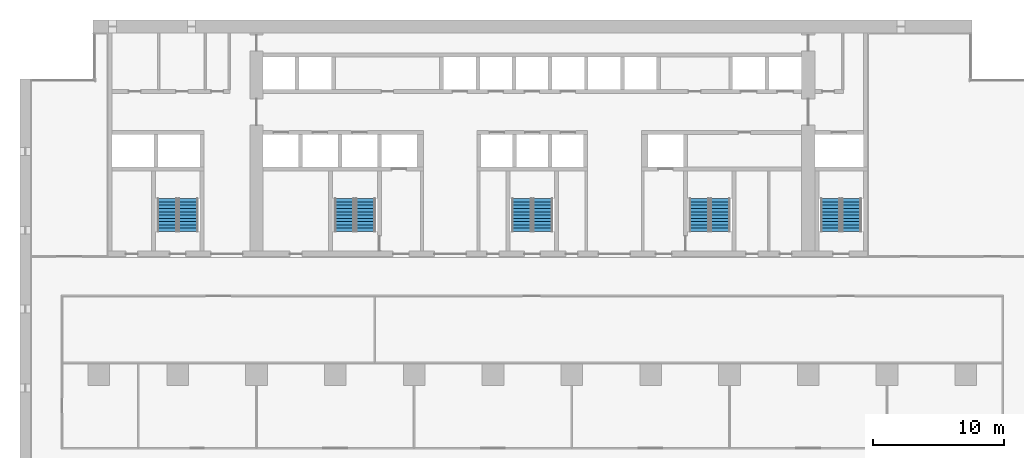
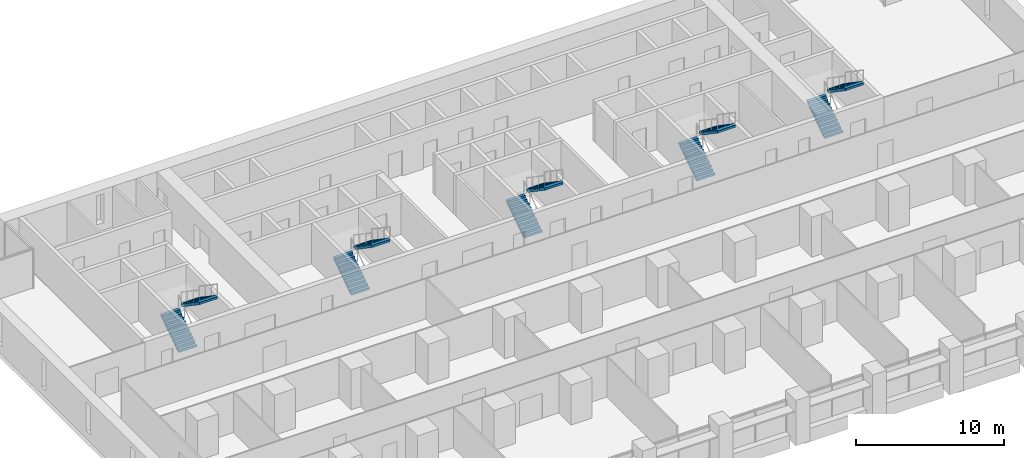
# One storey, part 14 of 18: 10 stair flights, 5 elements without a shape of their own.
"""IFC4 building model written with IfcOpenShell, lengths in metres."""

from ifc_helpers import new_model, si_unit, direction, frame, origin, place, context, subcontext, project, spatial, polyline, outline, extrude, material, type_object, element, aggregate, save


model = new_model("IFC4")

# Units and contexts
model_context = context("Model", 3, precision=1e-05, world=origin(), true_north=direction((0.0, 1.0)))
body_context = subcontext(model_context, "Body", "Model", "MODEL_VIEW")
ifc_project = project(units=[si_unit("LENGTHUNIT", "METRE"), si_unit("AREAUNIT", "SQUARE_METRE"), si_unit("VOLUMEUNIT", "CUBIC_METRE"), si_unit("PLANEANGLEUNIT", "RADIAN"), si_unit("MASSUNIT", "GRAM", prefix="KILO")], contexts=[model_context])

# Site, building, storey
site_placement = place(None, origin())
site = spatial("IfcSite", under=ifc_project, at=site_placement, CompositionType="ELEMENT")
building_placement = place(site_placement, origin())
building = spatial("IfcBuilding", under=site, at=building_placement, Name="Calvaro Tower", CompositionType="ELEMENT")
storey_placement = place(building_placement, frame((0.0, 0.0, 60.0)))
storey = spatial("IfcBuildingStorey", under=building, at=storey_placement, Name="L14", CompositionType="ELEMENT", Elevation=60.0)

# Stair, stair flights
ifc_material_1 = material(Name="Concrete C40/50", Category="concrete")
stair_type = type_object("IfcStairType", Name="Exit stair 1400 2 flights", PredefinedType="HALF_TURN_STAIR", material=ifc_material_1)
stair_1_placement = place(storey_placement, origin())
stair_1 = element("IfcStair", 1, at=stair_1_placement, inside=storey, type_object=stair_type, Name="Exit stair S1", PredefinedType="HALF_TURN_STAIR")
ifc_material_2 = material(Name="Concrete C40/50", Category="concrete")
stair_flight_type = type_object("IfcStairFlightType", Name="Stair flight", PredefinedType="STRAIGHT", material=ifc_material_2)
stair_flight_1_placement = place(storey_placement, frame((11.199951171875, 29.89990234375, 0.0), z_axis=(0.0, 0.0, 1.0), x_axis=(0.0, 1.0, 0.0)))
stair_flight_1 = element("IfcStairFlight", 2, at=stair_flight_1_placement, type_object=stair_flight_type, Name="Exit stair 1, flight 1", NumberOfRisers=11, NumberOfTreads=10, PredefinedType="STRAIGHT", RiserHeight=0.170454545, TreadLength=0.25, context=body_context, shape_type="SweptSolid", body=[
    extrude(outline(polyline([(0.0, 0.0), (0.0, 0.17041015625), (0.25, 0.17041015625), (0.25, 0.3408203125), (0.5, 0.3408203125), (0.5, 0.511474609375), (0.75, 0.511474609375), (0.75, 0.681884765625), (1.0, 0.681884765625), (1.0, 0.852294921875), (1.25, 0.852294921875), (1.25, 1.022705078125), (1.5, 1.022705078125), (1.5, 1.193115234375), (1.75, 1.193115234375), (1.75, 1.363525390625), (2.0, 1.363525390625), (2.0, 1.5341796875), (2.25, 1.5341796875), (2.25, 1.70458984375), (2.5, 1.70458984375), (2.5, 1.875), (2.5, 1.523193359375), (0.26611328125, 0.0), (0.0, 0.0)])), frame((0.0, 0.699951171875, 0.0), z_axis=(0.0, -1.0, 0.0), x_axis=(1.0, 0.0, 0.0)), (0.0, 0.0, 1.0), 1.39990234375),
])
stair_flight_2_placement = place(storey_placement, frame((12.800048828125, 32.39990234375, 1.875), z_axis=(0.0, 0.0, 1.0), x_axis=(0.0, -1.0, 0.0)))
stair_flight_2 = element("IfcStairFlight", 3, at=stair_flight_2_placement, type_object=stair_flight_type, Name="Exit stair 1, flight 2", NumberOfRisers=11, NumberOfTreads=10, PredefinedType="STRAIGHT", RiserHeight=0.170454545, TreadLength=0.25, context=body_context, shape_type="SweptSolid", body=[
    extrude(outline(polyline([(0.0, 0.0), (0.0, 0.17041015625), (0.25, 0.17041015625), (0.25, 0.3408203125), (0.5, 0.3408203125), (0.5, 0.511474609375), (0.75, 0.511474609375), (0.75, 0.681884765625), (1.0, 0.681884765625), (1.0, 0.852294921875), (1.25, 0.852294921875), (1.25, 1.022705078125), (1.5, 1.022705078125), (1.5, 1.193115234375), (1.75, 1.193115234375), (1.75, 1.363525390625), (2.0, 1.363525390625), (2.0, 1.5341796875), (2.25, 1.5341796875), (2.25, 1.70458984375), (2.5, 1.70458984375), (2.5, 1.875), (2.5, 1.523193359375), (0.26611328125, 0.0), (0.0, 0.0)])), frame((0.0, 0.699951171875, 0.0), z_axis=(0.0, -1.0, 0.0), x_axis=(1.0, 0.0, 0.0)), (0.0, 0.0, 1.0), 1.39990234375),
])
aggregate(stair_1, [stair_flight_1, stair_flight_2])

stair_2_placement = place(storey_placement, origin())
stair_2 = element("IfcStair", 4, at=stair_2_placement, inside=storey, type_object=stair_type, Name="Exit stair S2", PredefinedType="HALF_TURN_STAIR")
stair_flight_3_placement = place(storey_placement, frame((24.699951171875, 29.89990234375, 0.0), z_axis=(0.0, 0.0, 1.0), x_axis=(0.0, 1.0, 0.0)))
stair_flight_3 = element("IfcStairFlight", 5, at=stair_flight_3_placement, type_object=stair_flight_type, Name="Exit stair 2, flight 1", NumberOfRisers=11, NumberOfTreads=10, PredefinedType="STRAIGHT", RiserHeight=0.170454545, TreadLength=0.25, context=body_context, shape_type="SweptSolid", body=[
    extrude(outline(polyline([(0.0, 0.0), (0.0, 0.17041015625), (0.25, 0.17041015625), (0.25, 0.3408203125), (0.5, 0.3408203125), (0.5, 0.511474609375), (0.75, 0.511474609375), (0.75, 0.681884765625), (1.0, 0.681884765625), (1.0, 0.852294921875), (1.25, 0.852294921875), (1.25, 1.022705078125), (1.5, 1.022705078125), (1.5, 1.193115234375), (1.75, 1.193115234375), (1.75, 1.363525390625), (2.0, 1.363525390625), (2.0, 1.5341796875), (2.25, 1.5341796875), (2.25, 1.70458984375), (2.5, 1.70458984375), (2.5, 1.875), (2.5, 1.523193359375), (0.26611328125, 0.0), (0.0, 0.0)])), frame((0.0, 0.699951171875, 0.0), z_axis=(0.0, -1.0, 0.0), x_axis=(1.0, 0.0, 0.0)), (0.0, 0.0, 1.0), 1.39990234375),
])
stair_flight_4_placement = place(storey_placement, frame((26.300048828125, 32.39990234375, 1.875), z_axis=(0.0, 0.0, 1.0), x_axis=(0.0, -1.0, 0.0)))
stair_flight_4 = element("IfcStairFlight", 6, at=stair_flight_4_placement, type_object=stair_flight_type, Name="Exit stair 2, flight 2", NumberOfRisers=11, NumberOfTreads=10, PredefinedType="STRAIGHT", RiserHeight=0.170454545, TreadLength=0.25, context=body_context, shape_type="SweptSolid", body=[
    extrude(outline(polyline([(0.0, 0.0), (0.0, 0.17041015625), (0.25, 0.17041015625), (0.25, 0.3408203125), (0.5, 0.3408203125), (0.5, 0.511474609375), (0.75, 0.511474609375), (0.75, 0.681884765625), (1.0, 0.681884765625), (1.0, 0.852294921875), (1.25, 0.852294921875), (1.25, 1.022705078125), (1.5, 1.022705078125), (1.5, 1.193115234375), (1.75, 1.193115234375), (1.75, 1.363525390625), (2.0, 1.363525390625), (2.0, 1.5341796875), (2.25, 1.5341796875), (2.25, 1.70458984375), (2.5, 1.70458984375), (2.5, 1.875), (2.5, 1.523193359375), (0.26611328125, 0.0), (0.0, 0.0)])), frame((0.0, 0.699951171875, 0.0), z_axis=(0.0, -1.0, 0.0), x_axis=(1.0, 0.0, 0.0)), (0.0, 0.0, 1.0), 1.39990234375),
])
aggregate(stair_2, [stair_flight_3, stair_flight_4])

stair_3_placement = place(storey_placement, origin())
stair_3 = element("IfcStair", 7, at=stair_3_placement, inside=storey, type_object=stair_type, Name="Exit stair S3", PredefinedType="HALF_TURN_STAIR")
stair_flight_5_placement = place(storey_placement, frame((38.199951171875, 29.89990234375, 0.0), z_axis=(0.0, 0.0, 1.0), x_axis=(0.0, 1.0, 0.0)))
stair_flight_5 = element("IfcStairFlight", 8, at=stair_flight_5_placement, type_object=stair_flight_type, Name="Exit stair 3, flight 1", NumberOfRisers=11, NumberOfTreads=10, PredefinedType="STRAIGHT", RiserHeight=0.170454545, TreadLength=0.25, context=body_context, shape_type="SweptSolid", body=[
    extrude(outline(polyline([(0.0, 0.0), (0.0, 0.17041015625), (0.25, 0.17041015625), (0.25, 0.3408203125), (0.5, 0.3408203125), (0.5, 0.511474609375), (0.75, 0.511474609375), (0.75, 0.681884765625), (1.0, 0.681884765625), (1.0, 0.852294921875), (1.25, 0.852294921875), (1.25, 1.022705078125), (1.5, 1.022705078125), (1.5, 1.193115234375), (1.75, 1.193115234375), (1.75, 1.363525390625), (2.0, 1.363525390625), (2.0, 1.5341796875), (2.25, 1.5341796875), (2.25, 1.70458984375), (2.5, 1.70458984375), (2.5, 1.875), (2.5, 1.523193359375), (0.26611328125, 0.0), (0.0, 0.0)])), frame((0.0, 0.699951171875, 0.0), z_axis=(0.0, -1.0, 0.0), x_axis=(1.0, 0.0, 0.0)), (0.0, 0.0, 1.0), 1.39990234375),
])
stair_flight_6_placement = place(storey_placement, frame((39.800048828125, 32.39990234375, 1.875), z_axis=(0.0, 0.0, 1.0), x_axis=(0.0, -1.0, 0.0)))
stair_flight_6 = element("IfcStairFlight", 9, at=stair_flight_6_placement, type_object=stair_flight_type, Name="Exit stair 3, flight 2", NumberOfRisers=11, NumberOfTreads=10, PredefinedType="STRAIGHT", RiserHeight=0.170454545, TreadLength=0.25, context=body_context, shape_type="SweptSolid", body=[
    extrude(outline(polyline([(0.0, 0.0), (0.0, 0.17041015625), (0.25, 0.17041015625), (0.25, 0.3408203125), (0.5, 0.3408203125), (0.5, 0.511474609375), (0.75, 0.511474609375), (0.75, 0.681884765625), (1.0, 0.681884765625), (1.0, 0.852294921875), (1.25, 0.852294921875), (1.25, 1.022705078125), (1.5, 1.022705078125), (1.5, 1.193115234375), (1.75, 1.193115234375), (1.75, 1.363525390625), (2.0, 1.363525390625), (2.0, 1.5341796875), (2.25, 1.5341796875), (2.25, 1.70458984375), (2.5, 1.70458984375), (2.5, 1.875), (2.5, 1.523193359375), (0.26611328125, 0.0), (0.0, 0.0)])), frame((0.0, 0.699951171875, 0.0), z_axis=(0.0, -1.0, 0.0), x_axis=(1.0, 0.0, 0.0)), (0.0, 0.0, 1.0), 1.39990234375),
])
aggregate(stair_3, [stair_flight_5, stair_flight_6])

stair_4_placement = place(storey_placement, origin())
stair_4 = element("IfcStair", 10, at=stair_4_placement, inside=storey, type_object=stair_type, Name="Exit stair S4", PredefinedType="HALF_TURN_STAIR")
stair_flight_7_placement = place(storey_placement, frame((51.699951171875, 29.89990234375, 0.0), z_axis=(0.0, 0.0, 1.0), x_axis=(0.0, 1.0, 0.0)))
stair_flight_7 = element("IfcStairFlight", 11, at=stair_flight_7_placement, type_object=stair_flight_type, Name="Exit stair 4, flight 1", NumberOfRisers=11, NumberOfTreads=10, PredefinedType="STRAIGHT", RiserHeight=0.170454545, TreadLength=0.25, context=body_context, shape_type="SweptSolid", body=[
    extrude(outline(polyline([(0.0, 0.0), (0.0, 0.17041015625), (0.25, 0.17041015625), (0.25, 0.3408203125), (0.5, 0.3408203125), (0.5, 0.511474609375), (0.75, 0.511474609375), (0.75, 0.681884765625), (1.0, 0.681884765625), (1.0, 0.852294921875), (1.25, 0.852294921875), (1.25, 1.022705078125), (1.5, 1.022705078125), (1.5, 1.193115234375), (1.75, 1.193115234375), (1.75, 1.363525390625), (2.0, 1.363525390625), (2.0, 1.5341796875), (2.25, 1.5341796875), (2.25, 1.70458984375), (2.5, 1.70458984375), (2.5, 1.875), (2.5, 1.523193359375), (0.26611328125, 0.0), (0.0, 0.0)])), frame((0.0, 0.699951171875, 0.0), z_axis=(0.0, -1.0, 0.0), x_axis=(1.0, 0.0, 0.0)), (0.0, 0.0, 1.0), 1.39990234375),
])
stair_flight_8_placement = place(storey_placement, frame((53.300048828125, 32.39990234375, 1.875), z_axis=(0.0, 0.0, 1.0), x_axis=(0.0, -1.0, 0.0)))
stair_flight_8 = element("IfcStairFlight", 12, at=stair_flight_8_placement, type_object=stair_flight_type, Name="Exit stair 4, flight 2", NumberOfRisers=11, NumberOfTreads=10, PredefinedType="STRAIGHT", RiserHeight=0.170454545, TreadLength=0.25, context=body_context, shape_type="SweptSolid", body=[
    extrude(outline(polyline([(0.0, 0.0), (0.0, 0.17041015625), (0.25, 0.17041015625), (0.25, 0.3408203125), (0.5, 0.3408203125), (0.5, 0.511474609375), (0.75, 0.511474609375), (0.75, 0.681884765625), (1.0, 0.681884765625), (1.0, 0.852294921875), (1.25, 0.852294921875), (1.25, 1.022705078125), (1.5, 1.022705078125), (1.5, 1.193115234375), (1.75, 1.193115234375), (1.75, 1.363525390625), (2.0, 1.363525390625), (2.0, 1.5341796875), (2.25, 1.5341796875), (2.25, 1.70458984375), (2.5, 1.70458984375), (2.5, 1.875), (2.5, 1.523193359375), (0.26611328125, 0.0), (0.0, 0.0)])), frame((0.0, 0.699951171875, 0.0), z_axis=(0.0, -1.0, 0.0), x_axis=(1.0, 0.0, 0.0)), (0.0, 0.0, 1.0), 1.39990234375),
])
aggregate(stair_4, [stair_flight_7, stair_flight_8])

stair_5_placement = place(storey_placement, origin())
stair_5 = element("IfcStair", 13, at=stair_5_placement, inside=storey, type_object=stair_type, Name="Exit stair S5", PredefinedType="HALF_TURN_STAIR")
stair_flight_9_placement = place(storey_placement, frame((61.699951171875, 29.89990234375, 0.0), z_axis=(0.0, 0.0, 1.0), x_axis=(0.0, 1.0, 0.0)))
stair_flight_9 = element("IfcStairFlight", 14, at=stair_flight_9_placement, type_object=stair_flight_type, Name="Exit stair 5, flight 1", NumberOfRisers=11, NumberOfTreads=10, PredefinedType="STRAIGHT", RiserHeight=0.170454545, TreadLength=0.25, context=body_context, shape_type="SweptSolid", body=[
    extrude(outline(polyline([(0.0, 0.0), (0.0, 0.17041015625), (0.25, 0.17041015625), (0.25, 0.3408203125), (0.5, 0.3408203125), (0.5, 0.511474609375), (0.75, 0.511474609375), (0.75, 0.681884765625), (1.0, 0.681884765625), (1.0, 0.852294921875), (1.25, 0.852294921875), (1.25, 1.022705078125), (1.5, 1.022705078125), (1.5, 1.193115234375), (1.75, 1.193115234375), (1.75, 1.363525390625), (2.0, 1.363525390625), (2.0, 1.5341796875), (2.25, 1.5341796875), (2.25, 1.70458984375), (2.5, 1.70458984375), (2.5, 1.875), (2.5, 1.523193359375), (0.26611328125, 0.0), (0.0, 0.0)])), frame((0.0, 0.699951171875, 0.0), z_axis=(0.0, -1.0, 0.0), x_axis=(1.0, 0.0, 0.0)), (0.0, 0.0, 1.0), 1.39990234375),
])
stair_flight_10_placement = place(storey_placement, frame((63.300048828125, 32.39990234375, 1.875), z_axis=(0.0, 0.0, 1.0), x_axis=(0.0, -1.0, 0.0)))
stair_flight_10 = element("IfcStairFlight", 15, at=stair_flight_10_placement, type_object=stair_flight_type, Name="Exit stair 5, flight 2", NumberOfRisers=11, NumberOfTreads=10, PredefinedType="STRAIGHT", RiserHeight=0.170454545, TreadLength=0.25, context=body_context, shape_type="SweptSolid", body=[
    extrude(outline(polyline([(0.0, 0.0), (0.0, 0.17041015625), (0.25, 0.17041015625), (0.25, 0.3408203125), (0.5, 0.3408203125), (0.5, 0.511474609375), (0.75, 0.511474609375), (0.75, 0.681884765625), (1.0, 0.681884765625), (1.0, 0.852294921875), (1.25, 0.852294921875), (1.25, 1.022705078125), (1.5, 1.022705078125), (1.5, 1.193115234375), (1.75, 1.193115234375), (1.75, 1.363525390625), (2.0, 1.363525390625), (2.0, 1.5341796875), (2.25, 1.5341796875), (2.25, 1.70458984375), (2.5, 1.70458984375), (2.5, 1.875), (2.5, 1.523193359375), (0.26611328125, 0.0), (0.0, 0.0)])), frame((0.0, 0.699951171875, 0.0), z_axis=(0.0, -1.0, 0.0), x_axis=(1.0, 0.0, 0.0)), (0.0, 0.0, 1.0), 1.39990234375),
])
aggregate(stair_5, [stair_flight_9, stair_flight_10])

save(model, "model.ifc")
